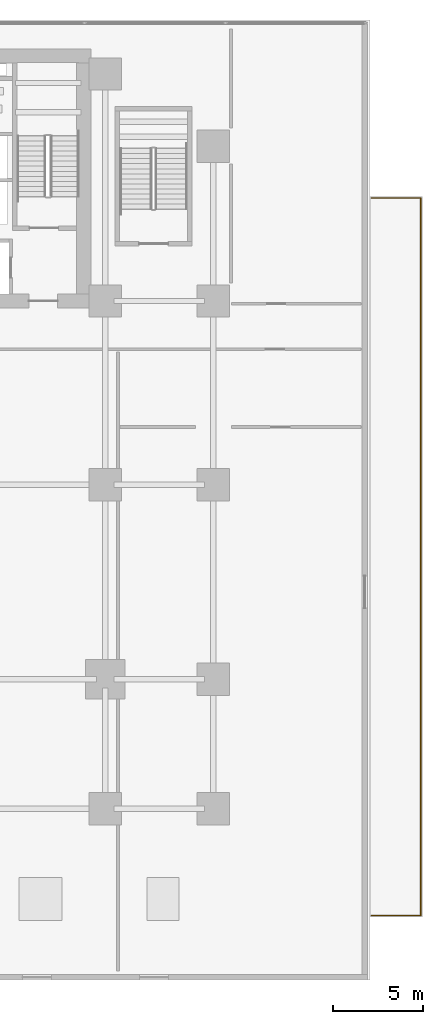
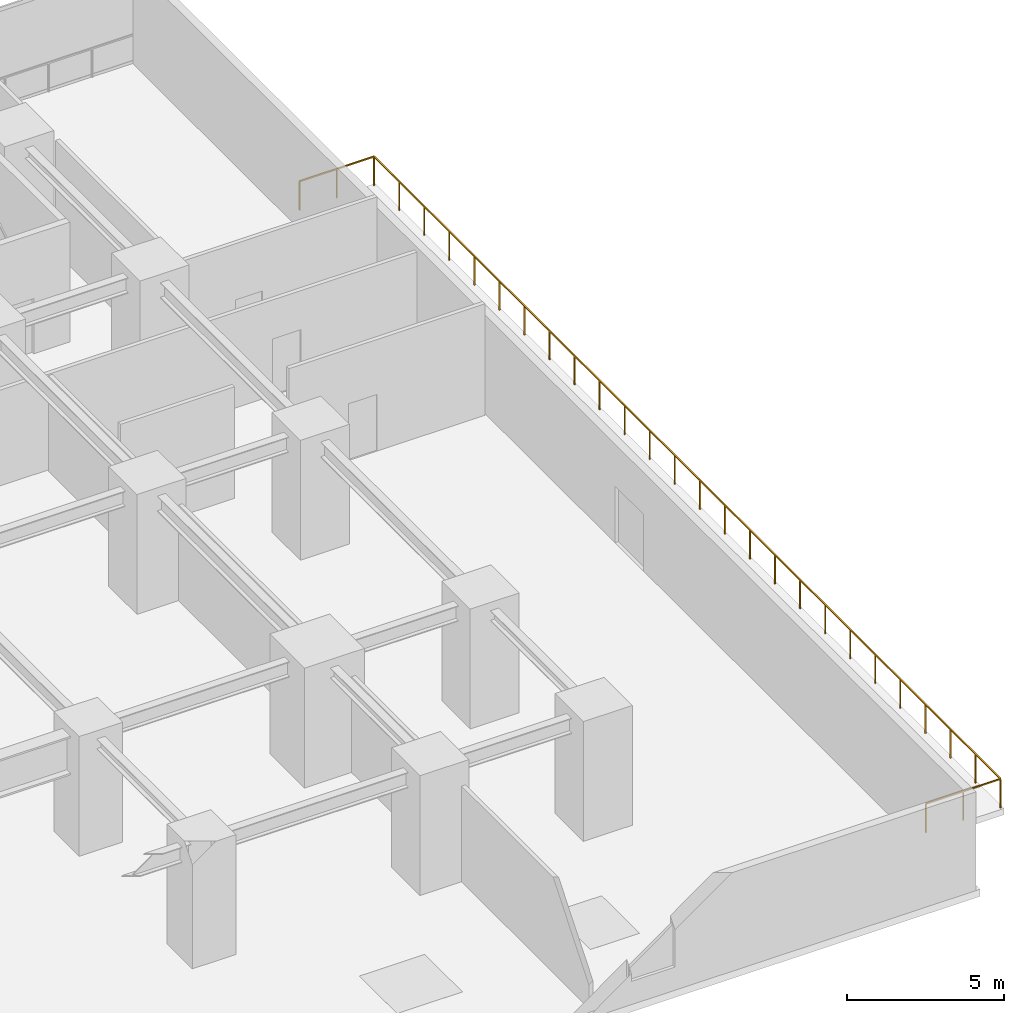
# One storey, part 14 of 15: 1 railing.
"""IFC4 building model written with IfcOpenShell, lengths in metres."""

from ifc_helpers import new_model, si_unit, direction, frame, origin, origin_2d, place, context, subcontext, project, spatial, rectangle, extrude, material, type_object, element, save


model = new_model("IFC4")

# Units and contexts
model_context = context("Model", 3, precision=1e-05, world=origin(), true_north=direction((0.0, 1.0)))
body_context = subcontext(model_context, "Body", "Model", "MODEL_VIEW")
ifc_project = project(units=[si_unit("LENGTHUNIT", "METRE"), si_unit("AREAUNIT", "SQUARE_METRE"), si_unit("VOLUMEUNIT", "CUBIC_METRE"), si_unit("PLANEANGLEUNIT", "RADIAN"), si_unit("MASSUNIT", "GRAM", prefix="KILO")], contexts=[model_context])

# Site, building, storey
site_placement = place(None, origin())
site = spatial("IfcSite", under=ifc_project, at=site_placement, CompositionType="ELEMENT")
building_placement = place(site_placement, origin())
building = spatial("IfcBuilding", under=site, at=building_placement, Name="Sumidabori Civic Tower", CompositionType="ELEMENT")
storey_placement = place(building_placement, frame((0.0, 0.0, 14.300048828125)))
storey = spatial("IfcBuildingStorey", under=building, at=storey_placement, Name="L03", CompositionType="ELEMENT", Elevation=14.300048828125)

# Railing
ifc_material = material(Name="Anodised Bronze Aluminium AW-6063-T6", Category="aluminium")
railing_type = type_object("IfcRailingType", Name="RL-BAL-1150", PredefinedType="BALUSTRADE", material=ifc_material)
railing_placement = place(storey_placement, frame((31.580078125, -23.919921875, 0.0)))
element("IfcRailing", 1, at=railing_placement, inside=storey, type_object=railing_type, Name="Podium Terrace Balustrade TER-L03-E", PredefinedType="BALUSTRADE", context=body_context, shape_type="SweptSolid", body=[
    extrude(rectangle(XDim=0.048095703125, YDim=0.048095703125, at=origin_2d()), frame((0.0, 0.0, 1.1259765625), z_axis=(1.0, 0.0, 0.0), x_axis=(0.0, 1.0, 0.0)), (0.0, 0.0, 1.0), 2.739990234375),
    extrude(rectangle(XDim=0.048095703125, YDim=0.048095703125, at=origin_2d()), frame((2.739990234375, 0.0, 1.1259765625), z_axis=(0.0, 1.0, 0.0), x_axis=(-1.0, 0.0, 0.0)), (0.0, 0.0, 1.0), 39.83984375),
    extrude(rectangle(XDim=0.048095703125, YDim=0.048095703125, at=origin_2d()), frame((2.739990234375, 39.83984375, 1.1259765625), z_axis=(-1.0, 0.0, 0.0), x_axis=(0.0, -1.0, 0.0)), (0.0, 0.0, 1.0), 2.739990234375),
    extrude(rectangle(XDim=0.0419921875, YDim=0.0419921875, at=origin_2d()), origin(), (0.0, 0.0, 1.0), 1.101806640625),
    extrude(rectangle(XDim=0.0419921875, YDim=0.0419921875, at=origin_2d()), frame((1.3701171875, 0.0, 0.0)), (0.0, 0.0, 1.0), 1.101806640625),
    extrude(rectangle(XDim=0.0419921875, YDim=0.0419921875, at=origin_2d()), frame((2.739990234375, 0.0, 0.0)), (0.0, 0.0, 1.0), 1.101806640625),
    extrude(rectangle(XDim=0.0419921875, YDim=0.0419921875, at=origin_2d()), frame((2.739990234375, 1.593505859375, 0.0)), (0.0, 0.0, 1.0), 1.101806640625),
    extrude(rectangle(XDim=0.0419921875, YDim=0.0419921875, at=origin_2d()), frame((2.739990234375, 3.187255859375, 0.0)), (0.0, 0.0, 1.0), 1.101806640625),
    extrude(rectangle(XDim=0.0419921875, YDim=0.0419921875, at=origin_2d()), frame((2.739990234375, 4.78076171875, 0.0)), (0.0, 0.0, 1.0), 1.101806640625),
    extrude(rectangle(XDim=0.0419921875, YDim=0.0419921875, at=origin_2d()), frame((2.739990234375, 6.374267578125, 0.0)), (0.0, 0.0, 1.0), 1.101806640625),
    extrude(rectangle(XDim=0.0419921875, YDim=0.0419921875, at=origin_2d()), frame((2.739990234375, 7.968017578125, 0.0)), (0.0, 0.0, 1.0), 1.101806640625),
    extrude(rectangle(XDim=0.0419921875, YDim=0.0419921875, at=origin_2d()), frame((2.739990234375, 9.5615234375, 0.0)), (0.0, 0.0, 1.0), 1.101806640625),
    extrude(rectangle(XDim=0.0419921875, YDim=0.0419921875, at=origin_2d()), frame((2.739990234375, 11.1552734375, 0.0)), (0.0, 0.0, 1.0), 1.101806640625),
    extrude(rectangle(XDim=0.0419921875, YDim=0.0419921875, at=origin_2d()), frame((2.739990234375, 12.748779296875, 0.0)), (0.0, 0.0, 1.0), 1.101806640625),
    extrude(rectangle(XDim=0.0419921875, YDim=0.0419921875, at=origin_2d()), frame((2.739990234375, 14.34228515625, 0.0)), (0.0, 0.0, 1.0), 1.101806640625),
    extrude(rectangle(XDim=0.0419921875, YDim=0.0419921875, at=origin_2d()), frame((2.739990234375, 15.93603515625, 0.0)), (0.0, 0.0, 1.0), 1.101806640625),
    extrude(rectangle(XDim=0.0419921875, YDim=0.0419921875, at=origin_2d()), frame((2.739990234375, 17.529541015625, 0.0)), (0.0, 0.0, 1.0), 1.101806640625),
    extrude(rectangle(XDim=0.0419921875, YDim=0.0419921875, at=origin_2d()), frame((2.739990234375, 19.123046875, 0.0)), (0.0, 0.0, 1.0), 1.101806640625),
    extrude(rectangle(XDim=0.0419921875, YDim=0.0419921875, at=origin_2d()), frame((2.739990234375, 20.716796875, 0.0)), (0.0, 0.0, 1.0), 1.101806640625),
    extrude(rectangle(XDim=0.0419921875, YDim=0.0419921875, at=origin_2d()), frame((2.739990234375, 22.310302734375, 0.0)), (0.0, 0.0, 1.0), 1.101806640625),
    extrude(rectangle(XDim=0.0419921875, YDim=0.0419921875, at=origin_2d()), frame((2.739990234375, 23.90380859375, 0.0)), (0.0, 0.0, 1.0), 1.101806640625),
    extrude(rectangle(XDim=0.0419921875, YDim=0.0419921875, at=origin_2d()), frame((2.739990234375, 25.49755859375, 0.0)), (0.0, 0.0, 1.0), 1.101806640625),
    extrude(rectangle(XDim=0.0419921875, YDim=0.0419921875, at=origin_2d()), frame((2.739990234375, 27.091064453125, 0.0)), (0.0, 0.0, 1.0), 1.101806640625),
    extrude(rectangle(XDim=0.0419921875, YDim=0.0419921875, at=origin_2d()), frame((2.739990234375, 28.6845703125, 0.0)), (0.0, 0.0, 1.0), 1.101806640625),
    extrude(rectangle(XDim=0.0419921875, YDim=0.0419921875, at=origin_2d()), frame((2.739990234375, 30.2783203125, 0.0)), (0.0, 0.0, 1.0), 1.101806640625),
    extrude(rectangle(XDim=0.0419921875, YDim=0.0419921875, at=origin_2d()), frame((2.739990234375, 31.871826171875, 0.0)), (0.0, 0.0, 1.0), 1.101806640625),
    extrude(rectangle(XDim=0.0419921875, YDim=0.0419921875, at=origin_2d()), frame((2.739990234375, 33.465576171875, 0.0)), (0.0, 0.0, 1.0), 1.101806640625),
    extrude(rectangle(XDim=0.0419921875, YDim=0.0419921875, at=origin_2d()), frame((2.739990234375, 35.05908203125, 0.0)), (0.0, 0.0, 1.0), 1.101806640625),
    extrude(rectangle(XDim=0.0419921875, YDim=0.0419921875, at=origin_2d()), frame((2.739990234375, 36.652587890625, 0.0)), (0.0, 0.0, 1.0), 1.101806640625),
    extrude(rectangle(XDim=0.0419921875, YDim=0.0419921875, at=origin_2d()), frame((2.739990234375, 38.246337890625, 0.0)), (0.0, 0.0, 1.0), 1.101806640625),
    extrude(rectangle(XDim=0.0419921875, YDim=0.0419921875, at=origin_2d()), frame((2.739990234375, 39.83984375, 0.0)), (0.0, 0.0, 1.0), 1.101806640625),
    extrude(rectangle(XDim=0.0419921875, YDim=0.0419921875, at=origin_2d()), frame((1.3701171875, 39.83984375, 0.0)), (0.0, 0.0, 1.0), 1.101806640625),
    extrude(rectangle(XDim=0.0419921875, YDim=0.0419921875, at=origin_2d()), frame((0.0, 39.83984375, 0.0)), (0.0, 0.0, 1.0), 1.101806640625),
])

save(model, "model.ifc")
